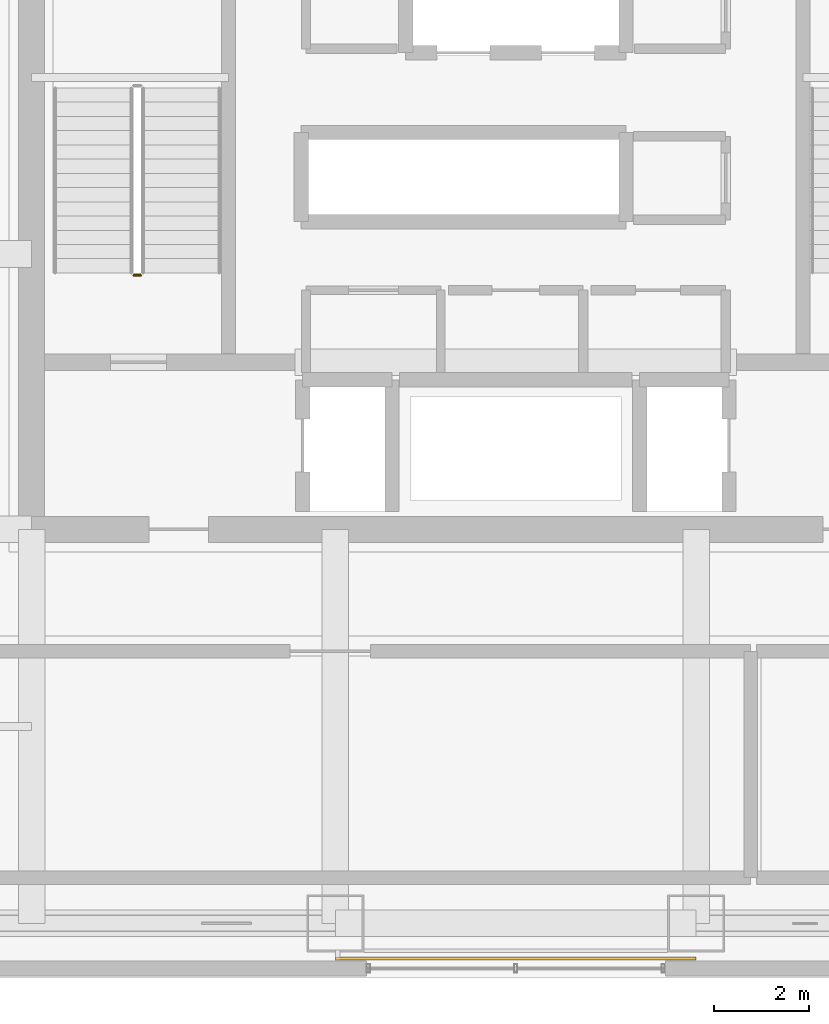
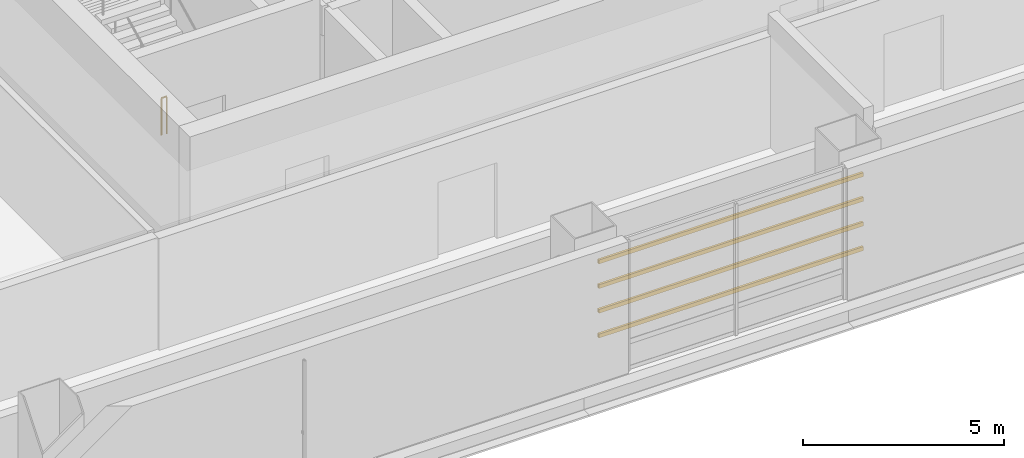
# One storey, part 21 of 31: 4 shading devices, 1 railing.
"""IFC4 building model written with IfcOpenShell, lengths in metres."""

from ifc_helpers import new_model, si_unit, direction, frame, origin, origin_2d, place, context, subcontext, project, spatial, hollow_rectangle, circle, extrude, material, material_profile, profile_set, type_object, element, save


model = new_model("IFC4")

# Units and contexts
model_context = context("Model", 3, precision=1e-05, world=origin(), true_north=direction((0.0, 1.0)))
body_context = subcontext(model_context, "Body", "Model", "MODEL_VIEW")
ifc_project = project(units=[si_unit("LENGTHUNIT", "METRE"), si_unit("AREAUNIT", "SQUARE_METRE"), si_unit("VOLUMEUNIT", "CUBIC_METRE"), si_unit("PLANEANGLEUNIT", "RADIAN"), si_unit("MASSUNIT", "GRAM", prefix="KILO")], contexts=[model_context])

# Site, building, storey
site_placement = place(None, origin())
site = spatial("IfcSite", under=ifc_project, at=site_placement, CompositionType="ELEMENT")
building_placement = place(site_placement, origin())
building = spatial("IfcBuilding", under=site, at=building_placement, Name="Punatoya Terracotta Tower", CompositionType="ELEMENT")
storey_placement = place(building_placement, frame((0.0, 0.0, 283.800048828125)))
storey = spatial("IfcBuildingStorey", under=building, at=storey_placement, Name="L67", CompositionType="ELEMENT", Elevation=283.800048828125)

# Railing
ifc_material_1 = material(Name="Steel S355", Category="steel")
railing_type = type_object("IfcRailingType", Name="RLG-GRD-1150", PredefinedType="GUARDRAIL", material=ifc_material_1)
railing_placement = place(storey_placement, frame((-7.89990234375, -3.85009765625, 0.0)))
element("IfcRailing", 1, at=railing_placement, inside=storey, type_object=railing_type, Name="L67 ST-1 stair guard 4", PredefinedType="GUARDRAIL", context=body_context, shape_type="SweptSolid", body=[
    extrude(circle(Radius=0.02392578125, at=origin_2d()), frame((0.0, 0.0, 1.1259765625), z_axis=(-1.0, 0.0, 0.0), x_axis=(0.0, -1.0, 0.0)), (0.0, 0.0, 1.0), 0.150146484375),
    extrude(circle(Radius=0.02099609375, at=origin_2d()), origin(), (0.0, 0.0, 1.0), 1.101806640625),
    extrude(circle(Radius=0.02099609375, at=origin_2d()), frame((-0.150146484375, 0.0, 0.0)), (0.0, 0.0, 1.0), 1.101806640625),
])

# Shading devices
ifc_material_2 = material(Name="Architectural Fired Terracotta", Category="masonry")
ifc_material_profile = material_profile(ifc_material_2, hollow_rectangle(XDim=0.06494140625, YDim=0.1201171875, WallThickness=0.014892578125, at=origin_2d()))
ifc_profile_set = profile_set([ifc_material_profile], Name="Architectural Fired Terracotta")
shading_device_type = type_object("IfcShadingDeviceType", Name="SHD-BAG-120", PredefinedType="USERDEFINED", material=ifc_profile_set)
for number, where, z_axis, x_axis, name in (
    (2, (-3.800048828125, -18.239990234375, 1.14990234375), (1.0, 0.0, 0.0), (0.0, 1.0, 0.0), "L67 Fired Terracotta Baguette Louvre BAG-L67-S-01"),
    (3, (-3.800048828125, -18.239990234375, 1.89990234375), (1.0, 0.0, 0.0), (0.0, 1.0, 0.0), "L67 Fired Terracotta Baguette Louvre BAG-L67-S-02"),
    (4, (-3.800048828125, -18.239990234375, 2.64990234375), (1.0, 0.0, 0.0), (0.0, 1.0, 0.0), "L67 Fired Terracotta Baguette Louvre BAG-L67-S-03"),
    (5, (-3.800048828125, -18.239990234375, 3.39990234375), (1.0, 0.0, 0.0), (0.0, 1.0, 0.0), "L67 Fired Terracotta Baguette Louvre BAG-L67-S-04"),
):
    element("IfcShadingDevice", number, at=place(storey_placement, frame(where, z_axis=z_axis, x_axis=x_axis)), inside=storey, type_object=shading_device_type, Name=name, ObjectType="BAGUETTE", PredefinedType="USERDEFINED", context=body_context, shape_type="SweptSolid", body=[
        extrude(hollow_rectangle(XDim=0.06494140625, YDim=0.1201171875, WallThickness=0.014892578125, at=origin_2d()), origin(), (0.0, 0.0, 1.0), 7.60009765625),
    ])

save(model, "model.ifc")
